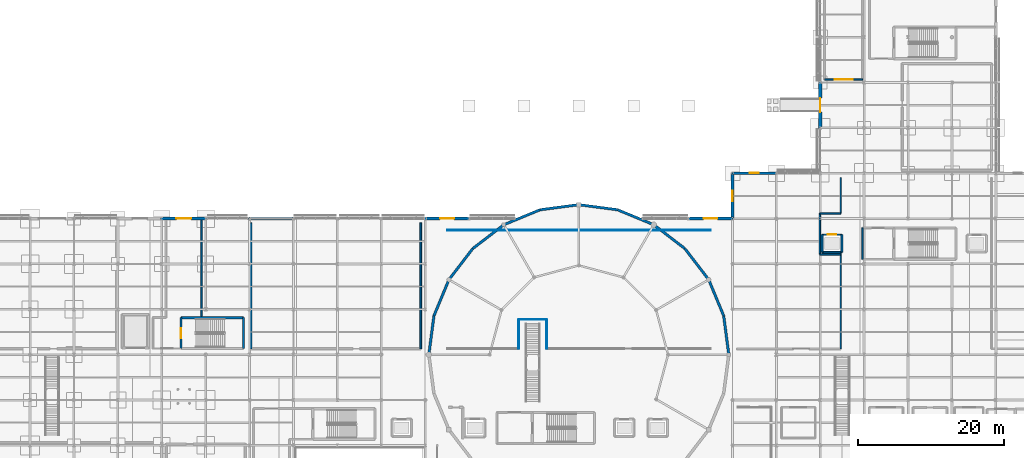
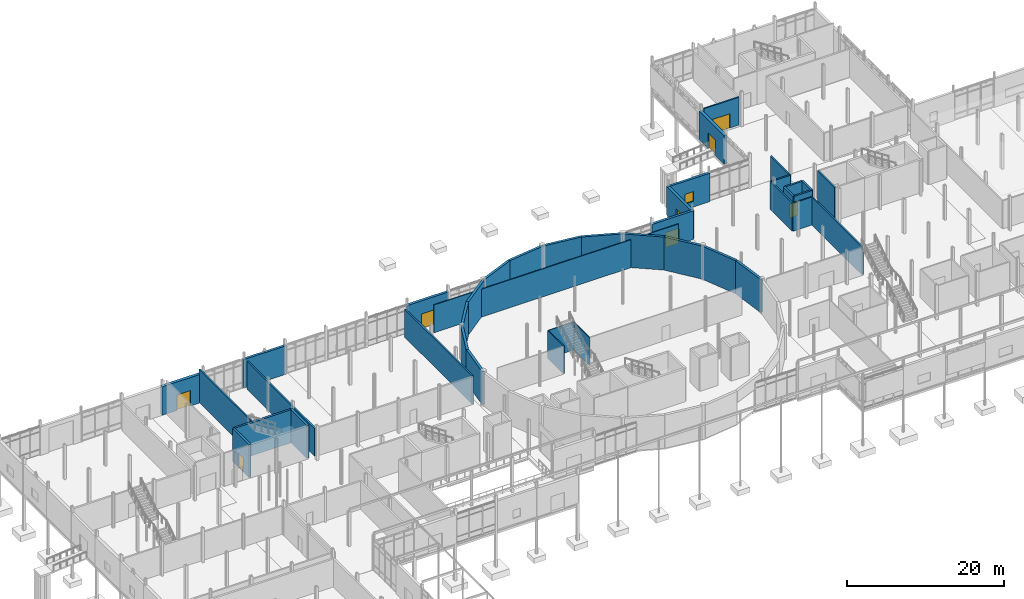
# One storey, part 71 of 98: 40 walls, 7 doors, 2 windows, 9 openings.
"""IFC4 building model written with IfcOpenShell, lengths in metres."""

import ifcopenshell
import ifcopenshell.guid

model = None  # the IFC model being written
_history = None  # IfcOwnerHistory: only IFC2X3 demands one
_inside = {}  # id of a spatial element -> (the spatial element, [elements in it])
_under = {}  # id of a project, library or spatial element -> (it, [spatial elements below it])
_declared = {}  # id of a project -> (the project, [libraries it declares])
_typed = {}  # id of a type object -> (the type object, [elements of that type])
_made_of = {}  # id of a material, layer set ... -> (it, [elements and type objects made of it])


def new_model(schema):
    """Start an empty IFC model of exactly this schema.

    Asked for "IFC4X3", IfcOpenShell would pick the latest addendum, in which some entities
    have other attributes; the version numbers below select the first issue.
    IFC2X3 requires an IfcOwnerHistory on every rooted entity: one is made here for all.
    """
    global model, _history
    if schema == "IFC4X3":
        model = ifcopenshell.file(schema_version=(4, 3, 0, 0))
    else:
        model = ifcopenshell.file(schema=schema)
    _inside.clear()
    _under.clear()
    _declared.clear()
    _typed.clear()
    _made_of.clear()
    _history = None
    if model.schema == "IFC2X3":
        org = make("IfcOrganization", Name="unknown")
        user = make(
            "IfcPersonAndOrganization",
            ThePerson=make("IfcPerson", FamilyName="unknown"),
            TheOrganization=org,
        )
        app = make(
            "IfcApplication",
            ApplicationDeveloper=org,
            Version="unknown",
            ApplicationFullName="unknown",
            ApplicationIdentifier="unknown",
        )
        _history = make(
            "IfcOwnerHistory",
            OwningUser=user,
            OwningApplication=app,
            ChangeAction="ADDED",
            CreationDate=0,
        )
    return model


def make(cls, **values):
    """One entity of the class cls with the attributes given. An attribute that is None is left unset."""
    return model.create_entity(
        cls, **{name: value for name, value in values.items() if value is not None}
    )


def rooted(cls, **values):
    """An entity with a GlobalId (a new one), such as an element, a storey or a relation."""
    return make(cls, GlobalId=ifcopenshell.guid.new(), OwnerHistory=_history, **values)


def si_unit(unit_type, name, prefix=None):
    """IfcSIUnit, for example si_unit("LENGTHUNIT", "METRE", prefix="MILLI")."""
    return make("IfcSIUnit", UnitType=unit_type, Prefix=prefix, Name=name)


def assignment(units):
    """IfcUnitAssignment: the units of a project."""
    return None if units is None else make("IfcUnitAssignment", Units=units)


def point(xyz):
    """IfcCartesianPoint."""
    return None if xyz is None else make("IfcCartesianPoint", Coordinates=xyz)


def direction(xyz):
    """IfcDirection."""
    return None if xyz is None else make("IfcDirection", DirectionRatios=xyz)


def frame(location, z_axis=None, x_axis=None):
    """IfcAxis2Placement3D, a coordinate frame: its origin and axes. An axis left out is left unset."""
    return make(
        "IfcAxis2Placement3D",
        Location=point(location),
        Axis=direction(z_axis),
        RefDirection=direction(x_axis),
    )


def frame_2d(location, x_axis=None):
    """IfcAxis2Placement2D, a coordinate frame in the plane: its origin and x axis."""
    return make(
        "IfcAxis2Placement2D", Location=point(location), RefDirection=direction(x_axis)
    )


def origin():
    """The frame at (0, 0, 0) with its axes left unset."""
    return frame((0.0, 0.0, 0.0))


def place(relative_to, where):
    """IfcLocalPlacement: puts the frame where relative to a parent placement (None: the world)."""
    return make(
        "IfcLocalPlacement", PlacementRelTo=relative_to, RelativePlacement=where
    )


def context(
    kind, dimensions, precision=None, world=None, true_north=None, identifier=None
):
    """IfcGeometricRepresentationContext, for example the 3D "Model" context."""
    return make(
        "IfcGeometricRepresentationContext",
        ContextIdentifier=identifier,
        ContextType=kind,
        CoordinateSpaceDimension=dimensions,
        Precision=precision,
        WorldCoordinateSystem=world,
        TrueNorth=true_north,
    )


def subcontext(parent, identifier, kind, view, scale=None):
    """IfcGeometricRepresentationSubContext, for example "Body" below "Model"."""
    return make(
        "IfcGeometricRepresentationSubContext",
        ContextIdentifier=identifier,
        ContextType=kind,
        ParentContext=parent,
        TargetScale=scale,
        TargetView=view,
    )


def project(units=None, contexts=None):
    """IfcProject with its units and contexts."""
    return rooted(
        "IfcProject",
        Name="project",
        RepresentationContexts=contexts,
        UnitsInContext=assignment(units),
    )


def spatial(cls, under=None, at=None, **own):
    """A site, building, storey or space (cls), placed at a placement, below another one or the project."""
    s = rooted(cls, ObjectPlacement=at, **own)
    if under is not None:
        _under.setdefault(under.id(), (under, []))[1].append(s)
    return s


def profile(cls, at=None, kind="AREA", **sizes):
    """A parametric profile (cls). Its sizes go by their IFC names, for example OverallWidth=200.0."""
    return make(cls, ProfileType=kind, Position=at, **sizes)


def rectangle(**sizes):
    """IfcRectangleProfileDef."""
    return profile("IfcRectangleProfileDef", **sizes)


def extrude(swept, where, along, depth):
    """IfcExtrudedAreaSolid: the profile swept, set in the frame where, extruded along a direction by depth."""
    return make(
        "IfcExtrudedAreaSolid",
        SweptArea=swept,
        Position=where,
        ExtrudedDirection=direction(along),
        Depth=depth,
    )


def shape(context_of_items, identifier, shape_type, items):
    """IfcShapeRepresentation: the items that make up one representation, for example the "Body"."""
    return make(
        "IfcShapeRepresentation",
        ContextOfItems=context_of_items,
        RepresentationIdentifier=identifier,
        RepresentationType=shape_type,
        Items=items,
    )


def material(Name=None, Category=None):
    """IfcMaterial."""
    return make("IfcMaterial", Name=Name, Category=Category)


def layer(
    of_material, thickness, ventilated=None, Name=None, Category=None, Priority=None
):
    """IfcMaterialLayer: one layer of a wall or slab, of a material (None: an air gap)."""
    return make(
        "IfcMaterialLayer",
        Material=of_material,
        LayerThickness=thickness,
        IsVentilated=ventilated,
        Name=Name,
        Category=Category,
        Priority=Priority,
    )


def layer_set(layers, Name=None):
    """IfcMaterialLayerSet."""
    return make("IfcMaterialLayerSet", MaterialLayers=layers, LayerSetName=Name)


def made_of(thing, what):
    """Note that an element or type object is made of a material, layer set ...; save() writes the relation."""
    if what is not None:
        _made_of.setdefault(what.id(), (what, []))[1].append(thing)
    return thing


def type_object(cls, material=None, **own):
    """A type object (cls), such as IfcWallType, which elements share."""
    return made_of(rooted(cls, **own), material)


def element(
    cls,
    number,
    at=None,
    inside=None,
    cuts=None,
    type_object=None,
    material=None,
    context=None,
    identifier="Body",
    shape_type=None,
    held_by="IfcProductDefinitionShape",
    body=None,
    shapes=None,
    **own,
):
    """One element of the class cls, such as IfcWall. Its Tag is "e" and its number.

    at: its placement. inside: the storey or other place that contains it. cuts: it is an
    opening in that element (IfcRelVoidsElement). A single representation is given by context,
    identifier, shape_type and body (its items); several are given by shapes. held_by: the class
    of the entity that holds the representations. save() writes the other relations.
    """
    e = rooted(cls, Tag="e%d" % number, ObjectPlacement=at, **own)
    if body is not None:
        shapes = [shape(context, identifier, shape_type, body)]
    if shapes is not None:
        e.Representation = make(held_by, Representations=shapes)
    if inside is not None:
        _inside.setdefault(inside.id(), (inside, []))[1].append(e)
    if cuts is not None:
        rooted(
            "IfcRelVoidsElement", RelatingBuildingElement=cuts, RelatedOpeningElement=e
        )
    if type_object is not None:
        _typed.setdefault(type_object.id(), (type_object, []))[1].append(e)
    return made_of(e, material)


def fill(opening, filler):
    """IfcRelFillsElement: the door or window that sits in an opening."""
    return rooted(
        "IfcRelFillsElement",
        RelatingOpeningElement=opening,
        RelatedBuildingElement=filler,
    )


def aggregate(whole, parts):
    """IfcRelAggregates: a whole, such as a stair, and the parts it consists of."""
    return rooted("IfcRelAggregates", RelatingObject=whole, RelatedObjects=parts)


def save(model, path):
    """Write the relations noted so far, then the file.

    IfcRelAggregates (storeys below a building ...), IfcRelContainedInSpatialStructure (elements
    in a storey), IfcRelDefinesByType, IfcRelAssociatesMaterial and IfcRelDeclares: one each for
    every whole, place, type object, material and project.
    """
    for whole, parts in _under.values():
        aggregate(whole, parts)
    for where, things in _inside.values():
        rooted(
            "IfcRelContainedInSpatialStructure",
            RelatedElements=things,
            RelatingStructure=where,
        )
    for kind, things in _typed.values():
        rooted("IfcRelDefinesByType", RelatedObjects=things, RelatingType=kind)
    for what, things in _made_of.values():
        rooted("IfcRelAssociatesMaterial", RelatedObjects=things, RelatingMaterial=what)
    for by, libraries in _declared.values():
        rooted("IfcRelDeclares", RelatingContext=by, RelatedDefinitions=libraries)
    model.write(path)


model = new_model("IFC4")

# Units and contexts
model_context = context("Model", 3, precision=1e-05, world=origin(), true_north=direction((0.0, 1.0)))
body_context = subcontext(model_context, "Body", "Model", "MODEL_VIEW")
ifc_project = project(units=[si_unit("LENGTHUNIT", "METRE"), si_unit("AREAUNIT", "SQUARE_METRE"), si_unit("VOLUMEUNIT", "CUBIC_METRE"), si_unit("PLANEANGLEUNIT", "RADIAN"), si_unit("MASSUNIT", "GRAM", prefix="KILO")], contexts=[model_context])

# Site, building, storey
site_placement = place(None, origin())
site = spatial("IfcSite", under=ifc_project, at=site_placement, CompositionType="ELEMENT")
building_placement = place(site_placement, origin())
building = spatial("IfcBuilding", under=site, at=building_placement, Name="Mirzam Square Science Centre", CompositionType="ELEMENT")
storey_placement = place(building_placement, origin())
storey = spatial("IfcBuildingStorey", under=building, at=storey_placement, Name="L00", CompositionType="ELEMENT", Elevation=0.0)

# Wall
ifc_material_1 = material(Name="Concrete C45/55", Category="concrete")
ifc_layer_1 = layer(ifc_material_1, 0.300048828125)
ifc_layer_set_1 = layer_set([ifc_layer_1], Name="W-CORE-300")
wall_type_1 = type_object("IfcWallType", Name="W-CORE-300", PredefinedType="SHEAR", material=ifc_layer_set_1)
wall_1_placement = place(storey_placement, frame((35.159912109375, 67.050048828125, 0.0), z_axis=(0.0, 0.0, 1.0), x_axis=(-1.0, 0.0, 0.0)))
element("IfcWall", 1, at=wall_1_placement, inside=storey, type_object=wall_type_1, Name="L00 CORE-2 north wall", PredefinedType="SHEAR", context=body_context, shape_type="SweptSolid", body=[
    extrude(rectangle(XDim=8.52001953125, YDim=0.300048828125, at=frame_2d((4.260009765625, 0.0))), origin(), (0.0, 0.0, 1.0), 5.14990234375),
])

# Wall, opening, door
wall_2_placement = place(storey_placement, frame((26.639892578125, 67.050048828125, 0.0), z_axis=(0.0, 0.0, 1.0), x_axis=(0.0, -1.0, 0.0)))
wall_2 = element("IfcWall", 2, at=wall_2_placement, inside=storey, type_object=wall_type_1, Name="L00 CORE-2 west wall", PredefinedType="SHEAR", context=body_context, shape_type="SweptSolid", body=[
    extrude(rectangle(XDim=4.2099609375, YDim=0.300048828125, at=frame_2d((2.10498046875, 0.0))), origin(), (0.0, 0.0, 1.0), 5.14990234375),
])
opening_1_placement = place(wall_2_placement, frame((1.429931640625, 0.0, 0.0)))
opening_1 = element("IfcOpeningElement", 3, at=opening_1_placement, cuts=wall_2, Name="Opening DS-01", PredefinedType="OPENING", context=body_context, shape_type="SweptSolid", body=[
    extrude(rectangle(XDim=1.35009765625, YDim=2.199951171875, at=frame_2d((0.675048828125, 1.10009765625))), frame((0.0, 0.159912109375, 0.0), z_axis=(0.0, -1.0, 0.0), x_axis=(1.0, 0.0, 0.0)), (0.0, 0.0, 1.0), 0.320068359375),
])
ifc_material_2 = material(Name="Fire-Rated Powder-Coated Architectural Steel Door", Category="steel")
door_type_1 = type_object("IfcDoorType", Name="DR-STAIR-1350x2200", OperationType="NOTDEFINED", PredefinedType="DOOR", material=ifc_material_2)
door_1_placement = place(opening_1_placement, origin())
door_1 = element("IfcDoor", 4, at=door_1_placement, inside=storey, type_object=door_type_1, Name="DRS-2-L00", OperationType="SINGLE_SWING_LEFT", OverallHeight=2.199951171875, OverallWidth=1.35009765625, PredefinedType="DOOR", context=body_context, shape_type="SweptSolid", body=[
    extrude(rectangle(XDim=1.35009765625, YDim=2.199951171875, at=frame_2d((0.675048828125, 1.10009765625))), frame((0.0, 0.02490234375, 0.0), z_axis=(0.0, -1.0, 0.0), x_axis=(1.0, 0.0, 0.0)), (0.0, 0.0, 1.0), 0.050048828125),
])
fill(opening_1, door_1)

# Walls
wall_3_placement = place(storey_placement, frame((35.159912109375, 62.840087890625, 0.0), z_axis=(0.0, 0.0, 1.0), x_axis=(0.0, 1.0, 0.0)))
element("IfcWall", 5, at=wall_3_placement, inside=storey, type_object=wall_type_1, Name="L00 CORE-2 east wall", PredefinedType="SHEAR", context=body_context, shape_type="SweptSolid", body=[
    extrude(rectangle(XDim=4.2099609375, YDim=0.300048828125, at=frame_2d((2.10498046875, 0.0))), origin(), (0.0, 0.0, 1.0), 5.14990234375),
])
ifc_layer_2 = layer(ifc_material_1, 0.35009765625)
ifc_layer_set_2 = layer_set([ifc_layer_2], Name="W-DRUM-350")
wall_type_2 = type_object("IfcWallType", Name="W-DRUM-350", PredefinedType="SHEAR", material=ifc_layer_set_2)
wall_4_placement = place(storey_placement, frame((101.5, 62.0, 0.0), z_axis=(0.0, 0.0, 1.0), x_axis=(-0.130517056518, 0.991446064069, 0.0)))
element("IfcWall", 6, at=wall_4_placement, inside=storey, type_object=wall_type_2, Name="L00 planetarium drum wall 01", PredefinedType="SHEAR", context=body_context, shape_type="SweptSolid", body=[
    extrude(rectangle(XDim=5.351806640625, YDim=0.35009765625, at=frame_2d((2.67578125, 0.0))), origin(), (0.0, 0.0, 1.0), 5.14990234375),
])
for number, where, z_axis, x_axis, name in (
    (7, (100.801513671875, 67.305908203125, 0.0), (0.0, 0.0, 1.0), (-0.382713071139, 0.923867255172, 0.0), "L00 planetarium drum wall 02"),
    (8, (98.75341796875, 72.25, 0.0), (0.0, 0.0, 1.0), (-0.60876670321, 0.793349293227, 0.0), "L00 planetarium drum wall 03"),
    (9, (95.49560546875, 76.49560546875, 0.0), (0.0, 0.0, 1.0), (-0.793349293227, 0.60876670321, 0.0), "L00 planetarium drum wall 04"),
    (10, (91.25, 79.75341796875, 0.0), (0.0, 0.0, 1.0), (-0.923867255172, 0.382713071139, 0.0), "L00 planetarium drum wall 05"),
):
    element("IfcWall", number, at=place(storey_placement, frame(where, z_axis=z_axis, x_axis=x_axis)), inside=storey, type_object=wall_type_2, Name=name, PredefinedType="SHEAR", context=body_context, shape_type="SweptSolid", body=[
        extrude(rectangle(XDim=5.3515625, YDim=0.35009765625, at=frame_2d((2.67578125, 0.0))), origin(), (0.0, 0.0, 1.0), 5.14990234375),
    ])
for number, where, z_axis, x_axis, name in (
    (11, (86.305908203125, 81.801513671875, 0.0), (0.0, 0.0, 1.0), (-0.991446064069, 0.130517056518, 0.0), "L00 planetarium drum wall 06"),
    (12, (81.0, 82.5, 0.0), (0.0, 0.0, 1.0), (-0.991446064069, -0.130517056518, 0.0), "L00 planetarium drum wall 07"),
):
    element("IfcWall", number, at=place(storey_placement, frame(where, z_axis=z_axis, x_axis=x_axis)), inside=storey, type_object=wall_type_2, Name=name, PredefinedType="SHEAR", context=body_context, shape_type="SweptSolid", body=[
        extrude(rectangle(XDim=5.351806640625, YDim=0.35009765625, at=frame_2d((2.67578125, 0.0))), origin(), (0.0, 0.0, 1.0), 5.14990234375),
    ])
for number, where, z_axis, x_axis, name in (
    (13, (75.694091796875, 81.801513671875, 0.0), (0.0, 0.0, 1.0), (-0.923867255172, -0.382713071139, 0.0), "L00 planetarium drum wall 08"),
    (14, (70.75, 79.75341796875, 0.0), (0.0, 0.0, 1.0), (-0.793349293227, -0.60876670321, 0.0), "L00 planetarium drum wall 09"),
    (15, (66.50439453125, 76.49560546875, 0.0), (0.0, 0.0, 1.0), (-0.60876670321, -0.793349293227, 0.0), "L00 planetarium drum wall 10"),
    (16, (63.24658203125, 72.25, 0.0), (0.0, 0.0, 1.0), (-0.382713071139, -0.923867255172, 0.0), "L00 planetarium drum wall 11"),
):
    element("IfcWall", number, at=place(storey_placement, frame(where, z_axis=z_axis, x_axis=x_axis)), inside=storey, type_object=wall_type_2, Name=name, PredefinedType="SHEAR", context=body_context, shape_type="SweptSolid", body=[
        extrude(rectangle(XDim=5.3515625, YDim=0.35009765625, at=frame_2d((2.67578125, 0.0))), origin(), (0.0, 0.0, 1.0), 5.14990234375),
    ])
wall_5_placement = place(storey_placement, frame((61.198486328125, 67.305908203125, 0.0), z_axis=(0.0, 0.0, 1.0), x_axis=(-0.130517056518, -0.991446064069, 0.0)))
element("IfcWall", 17, at=wall_5_placement, inside=storey, type_object=wall_type_2, Name="L00 planetarium drum wall 12", PredefinedType="SHEAR", context=body_context, shape_type="SweptSolid", body=[
    extrude(rectangle(XDim=5.351806640625, YDim=0.35009765625, at=frame_2d((2.67578125, 0.0))), origin(), (0.0, 0.0, 1.0), 5.14990234375),
])

# Wall, opening, window
ifc_material_3 = material(Name="Insulated Sand-Toned GFRC Concrete C40/50", Category="concrete")
ifc_layer_3 = layer(ifc_material_3, 0.340087890625)
ifc_layer_set_3 = layer_set([ifc_layer_3], Name="W-EXT-GFRC-340")
wall_type_3 = type_object("IfcWallType", Name="W-EXT-GFRC-340", PredefinedType="SOLIDWALL", material=ifc_layer_set_3)
wall_6_placement = place(storey_placement, frame((108.074951171875, 86.800048828125, 0.0), z_axis=(0.0, 0.0, 1.0), x_axis=(-1.0, 0.0, 0.0)))
wall_6 = element("IfcWall", 18, at=wall_6_placement, inside=storey, type_object=wall_type_3, Name="L00 external wall EW-EST-NW-L00-02", PredefinedType="SOLIDWALL", context=body_context, shape_type="SweptSolid", body=[
    extrude(rectangle(XDim=6.14990234375, YDim=0.340087890625, at=frame_2d((3.074951171875, 0.0))), origin(), (0.0, 0.0, 1.0), 4.43994140625),
])
opening_2_placement = place(wall_6_placement, frame((2.449951171875, 0.0, 0.89990234375)))
opening_2 = element("IfcOpeningElement", 19, at=opening_2_placement, cuts=wall_6, Name="Opening W-13", PredefinedType="OPENING", context=body_context, shape_type="SweptSolid", body=[
    extrude(rectangle(XDim=1.25, YDim=1.5, at=frame_2d((0.625, 0.75))), frame((0.0, 0.179931640625, 0.0), z_axis=(0.0, -1.0, 0.0), x_axis=(1.0, 0.0, 0.0)), (0.0, 0.0, 1.0), 0.360107421875),
])
ifc_material_4 = material(Name="Thermally Broken Bronze Aluminium and Low-E Glass", Category="aluminium")
window_type_1 = type_object("IfcWindowType", Name="WIN-1250x1500", PartitioningType="SINGLE_PANEL", PredefinedType="WINDOW", material=ifc_material_4)
window_1_placement = place(opening_2_placement, origin())
window_1 = element("IfcWindow", 20, at=window_1_placement, inside=storey, type_object=window_type_1, Name="L00 solar window 057", OverallHeight=1.5, OverallWidth=1.25, PartitioningType="SINGLE_PANEL", PredefinedType="WINDOW", context=body_context, shape_type="SweptSolid", body=[
    extrude(rectangle(XDim=1.25, YDim=1.5, at=frame_2d((0.625, 0.75))), frame((0.0, 0.030029296875, 0.0), z_axis=(0.0, -1.0, 0.0), x_axis=(1.0, 0.0, 0.0)), (0.0, 0.0, 1.0), 0.06005859375),
])
fill(opening_2, window_1)

# Wall, opening, door
ifc_layer_4 = layer(ifc_material_3, 0.3701171875)
ifc_layer_set_4 = layer_set([ifc_layer_4], Name="W-EXT-GFRC-370")
wall_type_4 = type_object("IfcWallType", Name="W-EXT-GFRC-370", PredefinedType="SOLIDWALL", material=ifc_layer_set_4)
wall_7_placement = place(storey_placement, frame((66.074951171875, 80.60009765625, 0.0), z_axis=(0.0, 0.0, 1.0), x_axis=(-1.0, 0.0, 0.0)))
wall_7 = element("IfcWall", 21, at=wall_7_placement, inside=storey, type_object=wall_type_4, Name="L00 external wall EW-LNK-N-L00-W1", PredefinedType="SOLIDWALL", context=body_context, shape_type="SweptSolid", body=[
    extrude(rectangle(XDim=6.14990234375, YDim=0.3701171875, at=frame_2d((3.074951171875, 0.0))), origin(), (0.0, 0.0, 1.0), 4.43994140625),
])
opening_3_placement = place(wall_7_placement, frame((2.125, 0.0, 0.0)))
opening_3 = element("IfcOpeningElement", 22, at=opening_3_placement, cuts=wall_7, Name="Opening ED-02", PredefinedType="OPENING", context=body_context, shape_type="SweptSolid", body=[
    extrude(rectangle(XDim=1.89990234375, YDim=2.39990234375, at=frame_2d((0.949951171875, 1.199951171875))), frame((0.0, 0.195068359375, 0.0), z_axis=(0.0, -1.0, 0.0), x_axis=(1.0, 0.0, 0.0)), (0.0, 0.0, 1.0), 0.39013671875),
])
ifc_material_5 = material(Name="Thermally Broken Bronze-Anodised Aluminium and Laminated Glass", Category="aluminium")
door_type_2 = type_object("IfcDoorType", Name="DR-EXT-1900x2400", OperationType="DOUBLE_DOOR_SINGLE_SWING", PredefinedType="DOOR", material=ifc_material_5)
door_2_placement = place(opening_3_placement, frame((1.89990234375, 0.0, 0.0), z_axis=(0.0, 0.0, 1.0), x_axis=(-1.0, 0.0, 0.0)))
door_2 = element("IfcDoor", 23, at=door_2_placement, inside=storey, type_object=door_type_2, Name="ED-L00-011", OperationType="DOUBLE_DOOR_SINGLE_SWING", OverallHeight=2.39990234375, OverallWidth=1.89990234375, PredefinedType="DOOR", context=body_context, shape_type="SweptSolid", body=[
    extrude(rectangle(XDim=1.89990234375, YDim=2.39990234375, at=frame_2d((0.949951171875, 1.199951171875))), frame((0.0, 0.02490234375, 0.0), z_axis=(0.0, -1.0, 0.0), x_axis=(1.0, 0.0, 0.0)), (0.0, 0.0, 1.0), 0.050048828125),
])
fill(opening_3, door_2)

wall_8_placement = place(storey_placement, frame((102.074951171875, 80.60009765625, 0.0), z_axis=(0.0, 0.0, 1.0), x_axis=(-1.0, 0.0, 0.0)))
wall_8 = element("IfcWall", 24, at=wall_8_placement, inside=storey, type_object=wall_type_4, Name="L00 external wall EW-LNK-N-L00-E2", PredefinedType="SOLIDWALL", context=body_context, shape_type="SweptSolid", body=[
    extrude(rectangle(XDim=6.14990234375, YDim=0.3701171875, at=frame_2d((3.074951171875, 0.0))), origin(), (0.0, 0.0, 1.0), 4.43994140625),
])
opening_4_placement = place(wall_8_placement, frame((2.125, 0.0, 0.0)))
opening_4 = element("IfcOpeningElement", 25, at=opening_4_placement, cuts=wall_8, Name="Opening ED-02", PredefinedType="OPENING", context=body_context, shape_type="SweptSolid", body=[
    extrude(rectangle(XDim=1.89990234375, YDim=2.39990234375, at=frame_2d((0.949951171875, 1.199951171875))), frame((0.0, 0.195068359375, 0.0), z_axis=(0.0, -1.0, 0.0), x_axis=(1.0, 0.0, 0.0)), (0.0, 0.0, 1.0), 0.39013671875),
])
door_3_placement = place(opening_4_placement, frame((1.89990234375, 0.0, 0.0), z_axis=(0.0, 0.0, 1.0), x_axis=(-1.0, 0.0, 0.0)))
door_3 = element("IfcDoor", 26, at=door_3_placement, inside=storey, type_object=door_type_2, Name="ED-L00-013", OperationType="DOUBLE_DOOR_SINGLE_SWING", OverallHeight=2.39990234375, OverallWidth=1.89990234375, PredefinedType="DOOR", context=body_context, shape_type="SweptSolid", body=[
    extrude(rectangle(XDim=1.89990234375, YDim=2.39990234375, at=frame_2d((0.949951171875, 1.199951171875))), frame((0.0, 0.02490234375, 0.0), z_axis=(0.0, -1.0, 0.0), x_axis=(1.0, 0.0, 0.0)), (0.0, 0.0, 1.0), 0.050048828125),
])
fill(opening_4, door_3)

# Wall, opening, window
ifc_layer_5 = layer(ifc_material_3, 0.385009765625)
ifc_layer_set_5 = layer_set([ifc_layer_5], Name="W-EXT-GFRC-385")
wall_type_5 = type_object("IfcWallType", Name="W-EXT-GFRC-385", PredefinedType="SOLIDWALL", material=ifc_layer_set_5)
wall_9_placement = place(storey_placement, frame((102.0, 86.875, 0.0), z_axis=(0.0, 0.0, 1.0), x_axis=(0.0, -1.0, 0.0)))
wall_9 = element("IfcWall", 27, at=wall_9_placement, inside=storey, type_object=wall_type_5, Name="L00 external wall EW-EST-W-L00-01", PredefinedType="SOLIDWALL", context=body_context, shape_type="SweptSolid", body=[
    extrude(rectangle(XDim=6.35009765625, YDim=0.385009765625, at=frame_2d((3.175048828125, 0.0))), origin(), (0.0, 0.0, 1.0), 4.43994140625),
])
opening_5_placement = place(wall_9_placement, frame((2.47509765625, 0.0, 0.89990234375)))
opening_5 = element("IfcOpeningElement", 28, at=opening_5_placement, cuts=wall_9, Name="Opening W-14", PredefinedType="OPENING", context=body_context, shape_type="SweptSolid", body=[
    extrude(rectangle(XDim=1.39990234375, YDim=1.5, at=frame_2d((0.699951171875, 0.75))), frame((0.0, 0.202392578125, 0.0), z_axis=(0.0, -1.0, 0.0), x_axis=(1.0, 0.0, 0.0)), (0.0, 0.0, 1.0), 0.405029296875),
])
window_type_2 = type_object("IfcWindowType", Name="WIN-1400x1500", PartitioningType="SINGLE_PANEL", PredefinedType="WINDOW", material=ifc_material_4)
window_2_placement = place(opening_5_placement, origin())
window_2 = element("IfcWindow", 29, at=window_2_placement, inside=storey, type_object=window_type_2, Name="L00 solar window 058", OverallHeight=1.5, OverallWidth=1.39990234375, PartitioningType="SINGLE_PANEL", PredefinedType="WINDOW", context=body_context, shape_type="SweptSolid", body=[
    extrude(rectangle(XDim=1.39990234375, YDim=1.5, at=frame_2d((0.699951171875, 0.75))), frame((0.0, 0.030029296875, 0.0), z_axis=(0.0, -1.0, 0.0), x_axis=(1.0, 0.0, 0.0)), (0.0, 0.0, 1.0), 0.06005859375),
])
fill(opening_5, window_2)

# Wall, opening, door
ifc_material_6 = material(Name="Honed Qatari Limestone Concrete C40/50", Category="masonry")
ifc_layer_6 = layer(ifc_material_6, 0.419921875)
ifc_layer_set_6 = layer_set([ifc_layer_6], Name="W-EXT-LIME-420")
wall_type_6 = type_object("IfcWallType", Name="W-EXT-LIME-420", PredefinedType="SOLIDWALL", material=ifc_layer_set_6)
wall_10_placement = place(storey_placement, frame((30.1650390625, 80.60009765625, 0.0), z_axis=(0.0, 0.0, 1.0), x_axis=(-1.0, 0.0, 0.0)))
wall_10 = element("IfcWall", 30, at=wall_10_placement, inside=storey, type_object=wall_type_6, Name="L00 external wall EW-WDG-N-L00-05", PredefinedType="SOLIDWALL", context=body_context, shape_type="SweptSolid", body=[
    extrude(rectangle(XDim=6.330078125, YDim=0.419921875, at=frame_2d((3.1650390625, 0.0))), origin(), (0.0, 0.0, 1.0), 4.43994140625),
])
opening_6_placement = place(wall_10_placement, frame((2.1650390625, 0.0, 0.0)))
opening_6 = element("IfcOpeningElement", 31, at=opening_6_placement, cuts=wall_10, Name="Opening ED-01", PredefinedType="OPENING", context=body_context, shape_type="SweptSolid", body=[
    extrude(rectangle(XDim=2.0, YDim=2.39990234375, at=frame_2d((1.0, 1.199951171875))), frame((0.0, 0.219970703125, 0.0), z_axis=(0.0, -1.0, 0.0), x_axis=(1.0, 0.0, 0.0)), (0.0, 0.0, 1.0), 0.43994140625),
])
door_type_3 = type_object("IfcDoorType", Name="DR-EXT-2000x2400", OperationType="DOUBLE_DOOR_SINGLE_SWING", PredefinedType="DOOR", material=ifc_material_5)
door_4_placement = place(opening_6_placement, frame((2.0, 0.0, 0.0), z_axis=(0.0, 0.0, 1.0), x_axis=(-1.0, 0.0, 0.0)))
door_4 = element("IfcDoor", 32, at=door_4_placement, inside=storey, type_object=door_type_3, Name="ED-L00-003", OperationType="DOUBLE_DOOR_SINGLE_SWING", OverallHeight=2.39990234375, OverallWidth=2.0, PredefinedType="DOOR", context=body_context, shape_type="SweptSolid", body=[
    extrude(rectangle(XDim=2.0, YDim=2.39990234375, at=frame_2d((1.0, 1.199951171875))), frame((0.0, 0.02490234375, 0.0), z_axis=(0.0, -1.0, 0.0), x_axis=(1.0, 0.0, 0.0)), (0.0, 0.0, 1.0), 0.050048828125),
])
fill(opening_6, door_4)

wall_11_placement = place(storey_placement, frame((114.0, 99.27490234375, 0.0), z_axis=(0.0, 0.0, 1.0), x_axis=(0.0, -1.0, 0.0)))
wall_11 = element("IfcWall", 33, at=wall_11_placement, inside=storey, type_object=wall_type_6, Name="L00 external wall EW-NEP-W-L00-2", PredefinedType="SOLIDWALL", context=body_context, shape_type="SweptSolid", body=[
    extrude(rectangle(XDim=6.349853515625, YDim=0.419921875, at=frame_2d((3.1748046875, 0.0))), origin(), (0.0, 0.0, 1.0), 4.43994140625),
])
opening_7_placement = place(wall_11_placement, frame((2.22509765625, 0.0, 0.0)))
opening_7 = element("IfcOpeningElement", 34, at=opening_7_placement, cuts=wall_11, Name="Opening ED-02", PredefinedType="OPENING", context=body_context, shape_type="SweptSolid", body=[
    extrude(rectangle(XDim=1.89990234375, YDim=2.39990234375, at=frame_2d((0.949951171875, 1.199951171875))), frame((0.0, 0.219970703125, 0.0), z_axis=(0.0, -1.0, 0.0), x_axis=(1.0, 0.0, 0.0)), (0.0, 0.0, 1.0), 0.43994140625),
])
door_5_placement = place(opening_7_placement, frame((1.89990234375, 0.0, 0.0), z_axis=(0.0, 0.0, 1.0), x_axis=(-1.0, 0.0, 0.0)))
door_5 = element("IfcDoor", 35, at=door_5_placement, inside=storey, type_object=door_type_2, Name="ED-L00-020", OperationType="DOUBLE_DOOR_SINGLE_SWING", OverallHeight=2.39990234375, OverallWidth=1.89990234375, PredefinedType="DOOR", context=body_context, shape_type="SweptSolid", body=[
    extrude(rectangle(XDim=1.89990234375, YDim=2.39990234375, at=frame_2d((0.949951171875, 1.199951171875))), frame((0.0, 0.02490234375, 0.0), z_axis=(0.0, -1.0, 0.0), x_axis=(1.0, 0.0, 0.0)), (0.0, 0.0, 1.0), 0.050048828125),
])
fill(opening_7, door_5)

# Walls
ifc_material_7 = material(Name="Standing-Seam Zinc-Clad Concrete Backup C40/50", Category="concrete")
ifc_layer_7 = layer(ifc_material_7, 0.35009765625)
ifc_layer_set_7 = layer_set([ifc_layer_7], Name="W-EXT-METAL-350")
wall_type_7 = type_object("IfcWallType", Name="W-EXT-METAL-350", PredefinedType="SOLIDWALL", material=ifc_layer_set_7)
wall_12_placement = place(storey_placement, frame((42.1650390625, 80.60009765625, 0.0), z_axis=(0.0, 0.0, 1.0), x_axis=(-1.0, 0.0, 0.0)))
element("IfcWall", 36, at=wall_12_placement, inside=storey, type_object=wall_type_7, Name="L00 external wall EW-WDG-N-L00-07", PredefinedType="SOLIDWALL", context=body_context, shape_type="SweptSolid", body=[
    extrude(rectangle(XDim=6.330078125, YDim=0.35009765625, at=frame_2d((3.1650390625, 0.0))), origin(), (0.0, 0.0, 1.0), 4.43994140625),
])
ifc_layer_8 = layer(ifc_material_1, 0.199951171875)
ifc_layer_set_8 = layer_set([ifc_layer_8], Name="W-LOBBY-200")
wall_type_8 = type_object("IfcWallType", Name="W-LOBBY-200", PredefinedType="SHEAR", material=ifc_layer_set_8)
wall_13_placement = place(storey_placement, frame((29.449951171875, 67.050048828125, 0.0), z_axis=(0.0, 0.0, 1.0), x_axis=(0.0, 1.0, 0.0)))
element("IfcWall", 37, at=wall_13_placement, inside=storey, type_object=wall_type_8, Name="L00 CORE-2 exit passage east wall", PredefinedType="SHEAR", context=body_context, shape_type="SweptSolid", body=[
    extrude(rectangle(XDim=13.5, YDim=0.199951171875, at=frame_2d((6.75, 0.0))), origin(), (0.0, 0.0, 1.0), 5.14990234375),
])
wall_14_placement = place(storey_placement, frame((119.800048828125, 79.330078125, 0.0), z_axis=(0.0, 0.0, 1.0), x_axis=(0.0, -1.0, 0.0)))
element("IfcWall", 38, at=wall_14_placement, inside=storey, type_object=wall_type_8, Name="L00 CORE-4 lobby west wall", PredefinedType="SHEAR", context=body_context, shape_type="SweptSolid", body=[
    extrude(rectangle(XDim=4.2900390625, YDim=0.199951171875, at=frame_2d((2.14501953125, 0.0))), origin(), (0.0, 0.0, 1.0), 5.14990234375),
])
ifc_material_8 = material(Name="Acoustic Gypsum Stud Partition", Category="gypsum")
ifc_layer_9 = layer(ifc_material_8, 0.1201171875)
ifc_layer_set_9 = layer_set([ifc_layer_9], Name="W-PART-120")
wall_type_9 = type_object("IfcWallType", Name="W-PART-120", PredefinedType="PARTITIONING", material=ifc_layer_set_9)
wall_15_placement = place(storey_placement, frame((63.0, 79.0, 0.0), z_axis=(0.0, 0.0, 1.0), x_axis=(1.0, 0.0, 0.0)))
element("IfcWall", 39, at=wall_15_placement, inside=storey, type_object=wall_type_9, Name="L00 Mirzam Rotunda Entrance Foyer partition 63", PredefinedType="PARTITIONING", context=body_context, shape_type="SweptSolid", body=[
    extrude(rectangle(XDim=36.0, YDim=0.1201171875, at=frame_2d((18.0, 0.0))), origin(), (0.0, 0.0, 1.0), 4.35009765625),
])
wall_16_placement = place(storey_placement, frame((76.60009765625, 62.800048828125, 0.0), z_axis=(0.0, 0.0, 1.0), x_axis=(0.0, 1.0, 0.0)))
element("IfcWall", 40, at=wall_16_placement, inside=storey, type_object=wall_type_9, Name="L00 Mirzam Rotunda Entrance Foyer partition 65", PredefinedType="PARTITIONING", context=body_context, shape_type="SweptSolid", body=[
    extrude(rectangle(XDim=4.0, YDim=0.1201171875, at=frame_2d((2.0, 0.0))), origin(), (0.0, 0.0, 1.0), 4.35009765625),
])
wall_17_placement = place(storey_placement, frame((76.60009765625, 66.800048828125, 0.0), z_axis=(0.0, 0.0, 1.0), x_axis=(-1.0, 0.0, 0.0)))
element("IfcWall", 41, at=wall_17_placement, inside=storey, type_object=wall_type_9, Name="L00 Mirzam Rotunda Entrance Foyer partition 66", PredefinedType="PARTITIONING", context=body_context, shape_type="SweptSolid", body=[
    extrude(rectangle(XDim=3.800048828125, YDim=0.1201171875, at=frame_2d((1.89990234375, 0.0))), origin(), (0.0, 0.0, 1.0), 4.35009765625),
])
wall_18_placement = place(storey_placement, frame((72.800048828125, 66.800048828125, 0.0), z_axis=(0.0, 0.0, 1.0), x_axis=(0.0, -1.0, 0.0)))
element("IfcWall", 42, at=wall_18_placement, inside=storey, type_object=wall_type_9, Name="L00 Mirzam Rotunda Entrance Foyer partition 67", PredefinedType="PARTITIONING", context=body_context, shape_type="SweptSolid", body=[
    extrude(rectangle(XDim=4.0, YDim=0.1201171875, at=frame_2d((2.0, 0.0))), origin(), (0.0, 0.0, 1.0), 4.35009765625),
])
ifc_material_9 = material(Name="Fire-Rated Corridor Blockwork Concrete C30/37", Category="masonry")
ifc_layer_10 = layer(ifc_material_9, 0.199951171875)
ifc_layer_set_10 = layer_set([ifc_layer_10], Name="W-PART-200")
wall_type_10 = type_object("IfcWallType", Name="W-PART-200", PredefinedType="PARTITIONING", material=ifc_layer_set_10)
wall_19_placement = place(storey_placement, frame((116.800048828125, 86.199951171875, 0.0), z_axis=(0.0, 0.0, 1.0), x_axis=(0.0, -1.0, 0.0)))
element("IfcWall", 43, at=wall_19_placement, inside=storey, type_object=wall_type_10, Name="L00 School Maker Workshop 2 partition 83", PredefinedType="PARTITIONING", context=body_context, shape_type="SweptSolid", body=[
    extrude(rectangle(XDim=4.89990234375, YDim=0.199951171875, at=frame_2d((2.449951171875, 0.0))), origin(), (0.0, 0.0, 1.0), 4.35009765625),
])
wall_20_placement = place(storey_placement, frame((116.800048828125, 81.300048828125, 0.0), z_axis=(0.0, 0.0, 1.0), x_axis=(-1.0, 0.0, 0.0)))
element("IfcWall", 44, at=wall_20_placement, inside=storey, type_object=wall_type_10, Name="L00 School Maker Workshop 2 partition 84", PredefinedType="PARTITIONING", context=body_context, shape_type="SweptSolid", body=[
    extrude(rectangle(XDim=2.85009765625, YDim=0.199951171875, at=frame_2d((1.425048828125, 0.0))), origin(), (0.0, 0.0, 1.0), 4.35009765625),
])
wall_21_placement = place(storey_placement, frame((113.949951171875, 81.300048828125, 0.0), z_axis=(0.0, 0.0, 1.0), x_axis=(0.0, -1.0, 0.0)))
element("IfcWall", 45, at=wall_21_placement, inside=storey, type_object=wall_type_10, Name="L00 School Maker Workshop 2 partition 85", PredefinedType="PARTITIONING", context=body_context, shape_type="SweptSolid", body=[
    extrude(rectangle(XDim=5.60009765625, YDim=0.199951171875, at=frame_2d((2.800048828125, 0.0))), origin(), (0.0, 0.0, 1.0), 4.35009765625),
])
wall_22_placement = place(storey_placement, frame((113.949951171875, 75.699951171875, 0.0), z_axis=(0.0, 0.0, 1.0), x_axis=(1.0, 0.0, 0.0)))
element("IfcWall", 46, at=wall_22_placement, inside=storey, type_object=wall_type_10, Name="L00 School Maker Workshop 2 partition 86", PredefinedType="PARTITIONING", context=body_context, shape_type="SweptSolid", body=[
    extrude(rectangle(XDim=2.85009765625, YDim=0.199951171875, at=frame_2d((1.425048828125, 0.0))), origin(), (0.0, 0.0, 1.0), 4.35009765625),
])
wall_23_placement = place(storey_placement, frame((116.800048828125, 75.699951171875, 0.0), z_axis=(0.0, 0.0, 1.0), x_axis=(0.0, -1.0, 0.0)))
element("IfcWall", 47, at=wall_23_placement, inside=storey, type_object=wall_type_10, Name="L00 School Maker Workshop 2 partition 87", PredefinedType="PARTITIONING", context=body_context, shape_type="SweptSolid", body=[
    extrude(rectangle(XDim=12.89990234375, YDim=0.199951171875, at=frame_2d((6.449951171875, 0.0))), origin(), (0.0, 0.0, 1.0), 4.35009765625),
])

# Wall, opening, door
ifc_material_10 = material(Name="Chemical Prep Fire Partition Concrete C30/37", Category="concrete")
ifc_layer_11 = layer(ifc_material_10, 0.215087890625)
ifc_layer_set_11 = layer_set([ifc_layer_11], Name="W-PART-215")
wall_type_11 = type_object("IfcWallType", Name="W-PART-215", PredefinedType="PARTITIONING", material=ifc_layer_set_11)
wall_24_placement = place(storey_placement, frame((119.800048828125, 99.60009765625, 0.0), z_axis=(0.0, 0.0, 1.0), x_axis=(-1.0, 0.0, 0.0)))
wall_24 = element("IfcWall", 48, at=wall_24_placement, inside=storey, type_object=wall_type_11, Name="L00 Public Science Community Room 1 partition 89", PredefinedType="PARTITIONING", context=body_context, shape_type="SweptSolid", body=[
    extrude(rectangle(XDim=5.199951171875, YDim=0.215087890625, at=frame_2d((2.60009765625, 0.0))), origin(), (0.0, 0.0, 1.0), 4.35009765625),
])
opening_8_placement = place(wall_24_placement, frame((1.35009765625, 0.0, 0.0)))
opening_8 = element("IfcOpeningElement", 49, at=opening_8_placement, cuts=wall_24, Name="Opening D-24", PredefinedType="OPENING", context=body_context, shape_type="SweptSolid", body=[
    extrude(rectangle(XDim=2.5, YDim=2.25, at=frame_2d((1.25, 1.125))), frame((0.0, 0.117431640625, 0.0), z_axis=(0.0, -1.0, 0.0), x_axis=(1.0, 0.0, 0.0)), (0.0, 0.0, 1.0), 0.235107421875),
])
ifc_material_11 = material(Name="Powder-Coated Architectural Steel Acoustic Door", Category="steel")
door_type_4 = type_object("IfcDoorType", Name="DR-INT-2500x2250", OperationType="DOUBLE_DOOR_SINGLE_SWING", PredefinedType="DOOR", material=ifc_material_11)
door_6_placement = place(opening_8_placement, origin())
door_6 = element("IfcDoor", 50, at=door_6_placement, inside=storey, type_object=door_type_4, Name="ID-L00-0023", OperationType="DOUBLE_DOOR_SINGLE_SWING", OverallHeight=2.25, OverallWidth=2.5, PredefinedType="DOOR", context=body_context, shape_type="SweptSolid", body=[
    extrude(rectangle(XDim=2.5, YDim=2.25, at=frame_2d((1.25, 1.125))), frame((0.0, 0.02490234375, 0.0), z_axis=(0.0, -1.0, 0.0), x_axis=(1.0, 0.0, 0.0)), (0.0, 0.0, 1.0), 0.050048828125),
])
fill(opening_8, door_6)

# Walls
ifc_material_12 = material(Name="Gallery Display Backing Wall Concrete C30/37", Category="concrete")
ifc_layer_12 = layer(ifc_material_12, 0.22998046875)
ifc_layer_set_12 = layer_set([ifc_layer_12], Name="W-PART-230")
wall_type_12 = type_object("IfcWallType", Name="W-PART-230", PredefinedType="PARTITIONING", material=ifc_layer_set_12)
for number, where, z_axis, x_axis, name in (
    (51, (59.39990234375, 80.0, 0.0), (0.0, 0.0, 1.0), (0.0, -1.0, 0.0), "L00 Energy and Climate Exhibition Hall 2 partition 56"),
    (52, (36.199951171875, 62.800048828125, 0.0), (0.0, 0.0, 1.0), (0.0, 1.0, 0.0), "L00 Energy and Climate Exhibition Hall 2 partition 58"),
):
    element("IfcWall", number, at=place(storey_placement, frame(where, z_axis=z_axis, x_axis=x_axis)), inside=storey, type_object=wall_type_12, Name=name, PredefinedType="PARTITIONING", context=body_context, shape_type="SweptSolid", body=[
        extrude(rectangle(XDim=17.199951171875, YDim=0.22998046875, at=frame_2d((8.60009765625, 0.0))), origin(), (0.0, 0.0, 1.0), 4.35009765625),
    ])
ifc_layer_13 = layer(ifc_material_1, 0.25)
ifc_layer_set_13 = layer_set([ifc_layer_13], Name="W-SHAFT-250")
wall_type_13 = type_object("IfcWallType", Name="W-SHAFT-250", PredefinedType="SHEAR", material=ifc_layer_set_13)
wall_25_placement = place(storey_placement, frame((114.25, 76.0, 0.0), z_axis=(0.0, 0.0, 1.0), x_axis=(1.0, 0.0, 0.0)))
element("IfcWall", 53, at=wall_25_placement, inside=storey, type_object=wall_type_13, Name="L00 lift LF-02 shaft wall S", PredefinedType="SHEAR", context=body_context, shape_type="SweptSolid", body=[
    extrude(rectangle(XDim=2.699951171875, YDim=0.25, at=frame_2d((1.35009765625, 0.0))), origin(), (0.0, 0.0, 1.0), 5.14990234375),
])

# Wall, opening, door
wall_26_placement = place(storey_placement, frame((116.949951171875, 78.39990234375, 0.0), z_axis=(0.0, 0.0, 1.0), x_axis=(-1.0, 0.0, 0.0)))
wall_26 = element("IfcWall", 54, at=wall_26_placement, inside=storey, type_object=wall_type_13, Name="L00 lift LF-02 shaft wall N", PredefinedType="SHEAR", context=body_context, shape_type="SweptSolid", body=[
    extrude(rectangle(XDim=2.699951171875, YDim=0.25, at=frame_2d((1.35009765625, 0.0))), origin(), (0.0, 0.0, 1.0), 5.14990234375),
])
opening_9_placement = place(wall_26_placement, frame((0.75, 0.0, 0.0)))
opening_9 = element("IfcOpeningElement", 55, at=opening_9_placement, cuts=wall_26, Name="Opening LD-02", PredefinedType="OPENING", context=body_context, shape_type="SweptSolid", body=[
    extrude(rectangle(XDim=1.199951171875, YDim=2.199951171875, at=frame_2d((0.60009765625, 1.10009765625))), frame((0.0, 0.135009765625, 0.0), z_axis=(0.0, -1.0, 0.0), x_axis=(1.0, 0.0, 0.0)), (0.0, 0.0, 1.0), 0.27001953125),
])
ifc_material_13 = material(Name="Firefighting Brushed Stainless Steel 316L Sliding Door", Category="steel")
door_type_5 = type_object("IfcDoorType", Name="LD-FIRE-1200x2200", OperationType="DOUBLE_DOOR_SLIDING", PredefinedType="DOOR", material=ifc_material_13)
door_7_placement = place(opening_9_placement, origin())
door_7 = element("IfcDoor", 56, at=door_7_placement, inside=storey, type_object=door_type_5, Name="LD-LF-02-L00", OperationType="DOUBLE_DOOR_SLIDING", OverallHeight=2.199951171875, OverallWidth=1.199951171875, PredefinedType="DOOR", context=body_context, shape_type="SweptSolid", body=[
    extrude(rectangle(XDim=1.199951171875, YDim=2.199951171875, at=frame_2d((0.60009765625, 1.10009765625))), frame((0.0, 0.02490234375, 0.0), z_axis=(0.0, -1.0, 0.0), x_axis=(1.0, 0.0, 0.0)), (0.0, 0.0, 1.0), 0.050048828125),
])
fill(opening_9, door_7)

# Walls
for number, where, z_axis, x_axis, name in (
    (57, (114.25, 78.39990234375, 0.0), (0.0, 0.0, 1.0), (0.0, -1.0, 0.0), "L00 lift LF-02 shaft wall W"),
    (58, (116.949951171875, 76.0, 0.0), (0.0, 0.0, 1.0), (0.0, 1.0, 0.0), "L00 lift LF-02 shaft wall E"),
):
    element("IfcWall", number, at=place(storey_placement, frame(where, z_axis=z_axis, x_axis=x_axis)), inside=storey, type_object=wall_type_13, Name=name, PredefinedType="SHEAR", context=body_context, shape_type="SweptSolid", body=[
        extrude(rectangle(XDim=2.39990234375, YDim=0.25, at=frame_2d((1.199951171875, 0.0))), origin(), (0.0, 0.0, 1.0), 5.14990234375),
    ])

save(model, "model.ifc")
